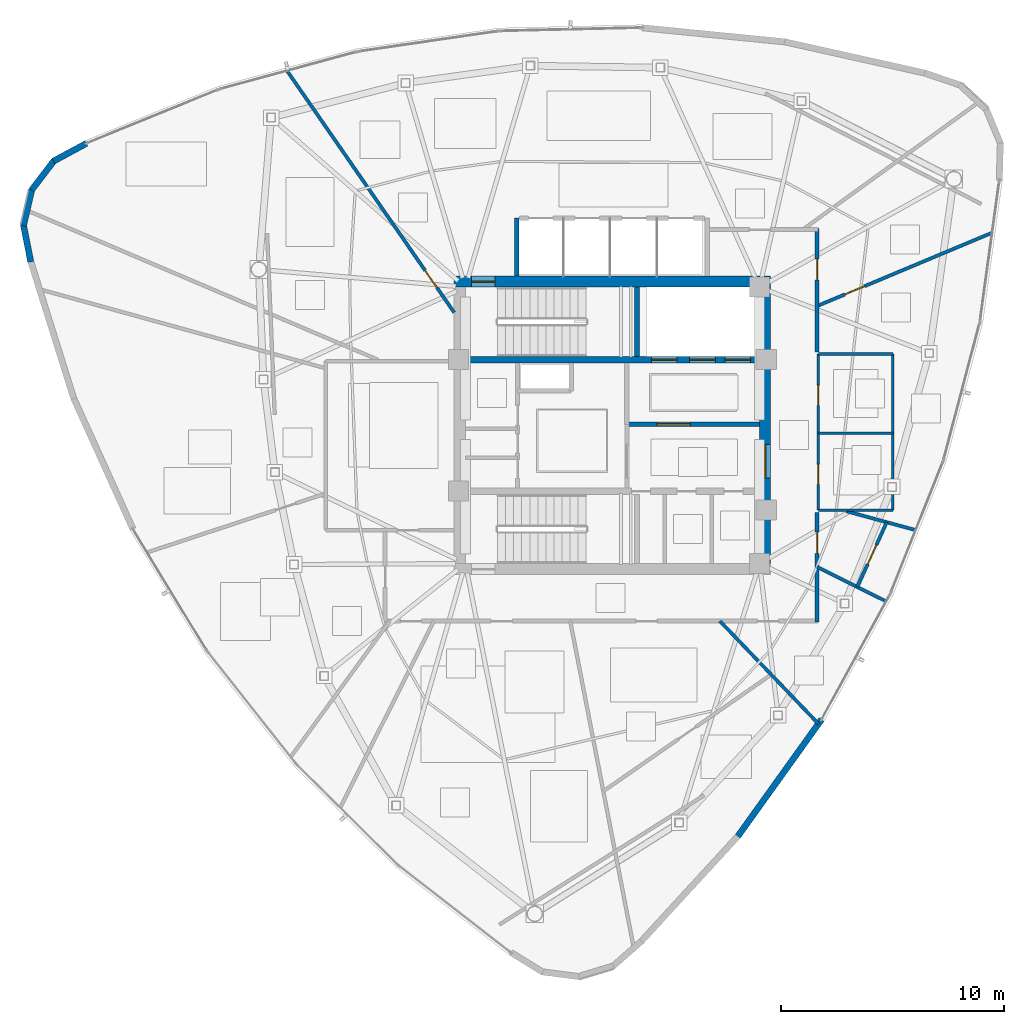
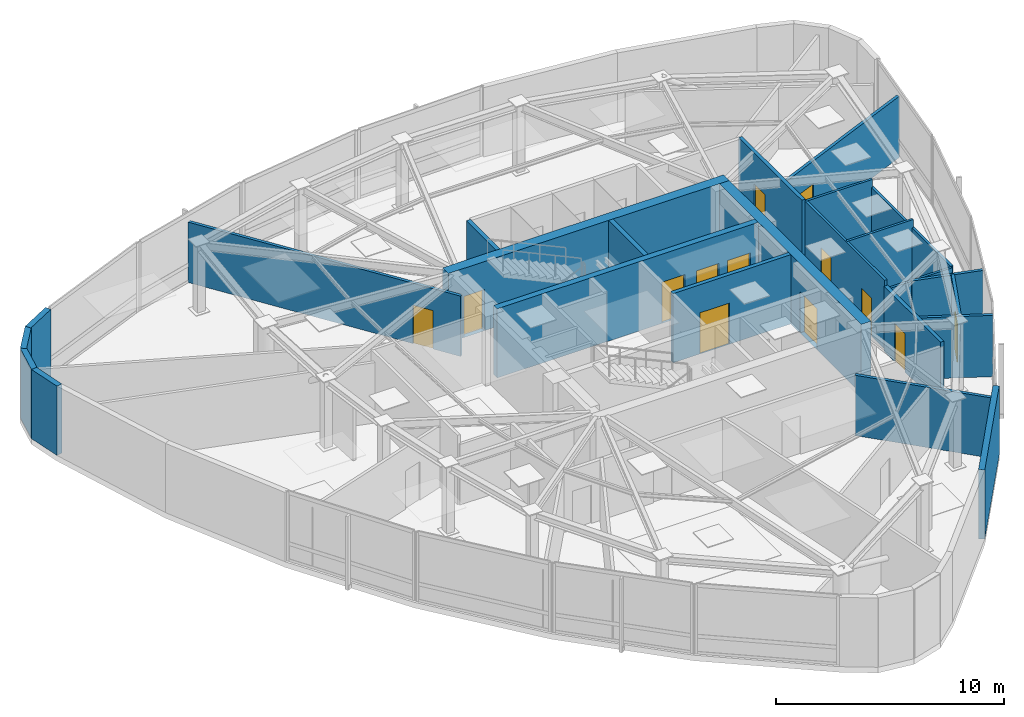
# One storey, part 9 of 12: 24 walls, 13 doors, 13 openings.
"""IFC4 building model written with IfcOpenShell, lengths in metres."""

from ifc_helpers import new_model, si_unit, direction, frame, frame_2d, origin, place, context, subcontext, project, spatial, rectangle, extrude, material, layer, layer_set, type_object, element, fill, save


model = new_model("IFC4")

# Units and contexts
model_context = context("Model", 3, precision=1e-05, world=origin(), true_north=direction((0.0, 1.0)))
body_context = subcontext(model_context, "Body", "Model", "MODEL_VIEW")
ifc_project = project(units=[si_unit("LENGTHUNIT", "METRE"), si_unit("AREAUNIT", "SQUARE_METRE"), si_unit("VOLUMEUNIT", "CUBIC_METRE"), si_unit("PLANEANGLEUNIT", "RADIAN"), si_unit("MASSUNIT", "GRAM", prefix="KILO")], contexts=[model_context])

# Site, building, storey
site_placement = place(None, origin())
site = spatial("IfcSite", under=ifc_project, at=site_placement, CompositionType="ELEMENT")
building_placement = place(site_placement, origin())
building = spatial("IfcBuilding", under=site, at=building_placement, Name="Tavelor Broadcast Tower", CompositionType="ELEMENT")
storey_placement = place(building_placement, frame((0.0, 0.0, 317.5)))
storey = spatial("IfcBuildingStorey", under=building, at=storey_placement, Name="L76", CompositionType="ELEMENT", Elevation=317.5)

# Wall, opening, door
ifc_material_1 = material(Name="Concrete C50/60", Category="concrete")
ifc_layer_1 = layer(ifc_material_1, 0.5)
ifc_layer_set_1 = layer_set([ifc_layer_1], Name="Concrete C50/60")
wall_type_1 = type_object("IfcWallType", Name="Core Shear Wall 500 mm", PredefinedType="SHEAR", material=ifc_layer_set_1)
wall_1_placement = place(storey_placement, frame((42.89990234375, 51.449951171875, 0.0), z_axis=(0.0, 0.0, 1.0), x_axis=(1.0, 0.0, 0.0)))
wall_1 = element("IfcWall", 1, at=wall_1_placement, inside=storey, type_object=wall_type_1, Name="L76 Central Core Shear Wall N", PredefinedType="SHEAR", context=body_context, shape_type="SweptSolid", body=[
    extrude(rectangle(XDim=14.2001953125, YDim=0.5, at=frame_2d((7.10009765625, 0.0))), origin(), (0.0, 0.0, 1.0), 3.699951171875),
])
opening_1_placement = place(wall_1_placement, frame((0.780029296875, 0.0, 0.0)))
opening_1 = element("IfcOpeningElement", 2, at=opening_1_placement, cuts=wall_1, Name="Opening DR11", PredefinedType="OPENING", context=body_context, shape_type="SweptSolid", body=[
    extrude(rectangle(XDim=1.050048828125, YDim=2.199951171875, at=frame_2d((0.52490234375, 1.10009765625))), frame((0.0, 0.260009765625, 0.0), z_axis=(0.0, -1.0, 0.0), x_axis=(1.0, 0.0, 0.0)), (0.0, 0.0, 1.0), 0.52001953125),
])
ifc_material_2 = material(Name="Steel S355", Category="steel")
door_type_1 = type_object("IfcDoorType", Name="Stair Core Fire Escape Door 1050x2200", OperationType="NOTDEFINED", PredefinedType="DOOR", material=ifc_material_2)
door_1_placement = place(opening_1_placement, origin())
door_1 = element("IfcDoor", 3, at=door_1_placement, inside=storey, type_object=door_type_1, Name="L76 Stair ST1 Protected Exit Door", OperationType="SINGLE_SWING_LEFT", OverallHeight=2.199951171875, OverallWidth=1.050048828125, PredefinedType="DOOR", context=body_context, shape_type="SweptSolid", body=[
    extrude(rectangle(XDim=1.050048828125, YDim=2.199951171875, at=frame_2d((0.52490234375, 1.10009765625))), frame((0.0, 0.02490234375, 0.0), z_axis=(0.0, -1.0, 0.0), x_axis=(1.0, 0.0, 0.0)), (0.0, 0.0, 1.0), 0.050048828125),
])
fill(opening_1, door_1)

wall_2_placement = place(storey_placement, frame((56.85009765625, 38.800048828125, 0.0), z_axis=(0.0, 0.0, 1.0), x_axis=(0.0, 1.0, 0.0)))
wall_2 = element("IfcWall", 4, at=wall_2_placement, inside=storey, type_object=wall_type_1, Name="L76 Central Core Shear Wall E", PredefinedType="SHEAR", context=body_context, shape_type="SweptSolid", body=[
    extrude(rectangle(XDim=12.39990234375, YDim=0.5, at=frame_2d((6.199951171875, 0.0))), origin(), (0.0, 0.0, 1.0), 3.699951171875),
])
opening_2_placement = place(wall_2_placement, frame((3.85009765625, 0.0, 0.0)))
opening_2 = element("IfcOpeningElement", 5, at=opening_2_placement, cuts=wall_2, Name="Opening DR14", PredefinedType="OPENING", context=body_context, shape_type="SweptSolid", body=[
    extrude(rectangle(XDim=1.5, YDim=2.199951171875, at=frame_2d((0.75, 1.10009765625))), frame((0.0, 0.260009765625, 0.0), z_axis=(0.0, -1.0, 0.0), x_axis=(1.0, 0.0, 0.0)), (0.0, 0.0, 1.0), 0.52001953125),
])
door_type_2 = type_object("IfcDoorType", Name="Firefighting Lobby Double Fire Door 1500x2200", OperationType="NOTDEFINED", PredefinedType="DOOR", material=ifc_material_2)
door_2_placement = place(opening_2_placement, origin())
door_2 = element("IfcDoor", 6, at=door_2_placement, inside=storey, type_object=door_type_2, Name="L76 Central Core Lobby Fire Door", OperationType="SINGLE_SWING_LEFT", OverallHeight=2.199951171875, OverallWidth=1.5, PredefinedType="DOOR", context=body_context, shape_type="SweptSolid", body=[
    extrude(rectangle(XDim=1.5, YDim=2.199951171875, at=frame_2d((0.75, 1.10009765625))), frame((0.0, 0.02490234375, 0.0), z_axis=(0.0, -1.0, 0.0), x_axis=(1.0, 0.0, 0.0)), (0.0, 0.0, 1.0), 0.050048828125),
])
fill(opening_2, door_2)

# Wall, openings, doors
ifc_layer_2 = layer(ifc_material_1, 0.300048828125)
ifc_layer_set_2 = layer_set([ifc_layer_2], Name="Concrete C50/60")
wall_type_2 = type_object("IfcWallType", Name="Core Spine Shear Wall 300 mm C50", PredefinedType="SHEAR", material=ifc_layer_set_2)
wall_3_placement = place(storey_placement, frame((43.39990234375, 47.949951171875, 0.0), z_axis=(0.0, 0.0, 1.0), x_axis=(1.0, 0.0, 0.0)))
wall_3 = element("IfcWall", 7, at=wall_3_placement, inside=storey, type_object=wall_type_2, Name="L76 Central Core Shear Wall SP1", PredefinedType="SHEAR", context=body_context, shape_type="SweptSolid", body=[
    extrude(rectangle(XDim=13.2001953125, YDim=0.300048828125, at=frame_2d((6.60009765625, 0.0))), origin(), (0.0, 0.0, 1.0), 3.699951171875),
])
opening_3_placement = place(wall_3_placement, frame((8.344970703125, 0.0, 0.0)))
opening_3 = element("IfcOpeningElement", 8, at=opening_3_placement, cuts=wall_3, Name="Opening LD02", PredefinedType="OPENING", context=body_context, shape_type="SweptSolid", body=[
    extrude(rectangle(XDim=1.14990234375, YDim=2.199951171875, at=frame_2d((0.574951171875, 1.10009765625))), frame((0.0, 0.16015625, 0.0), z_axis=(0.0, -1.0, 0.0), x_axis=(1.0, 0.0, 0.0)), (0.0, 0.0, 1.0), 0.320068359375),
])
opening_4_placement = place(wall_3_placement, frame((10.06494140625, 0.0, 0.0)))
opening_4 = element("IfcOpeningElement", 9, at=opening_4_placement, cuts=wall_3, Name="Opening LD02", PredefinedType="OPENING", context=body_context, shape_type="SweptSolid", body=[
    extrude(rectangle(XDim=1.14990234375, YDim=2.199951171875, at=frame_2d((0.574951171875, 1.10009765625))), frame((0.0, 0.16015625, 0.0), z_axis=(0.0, -1.0, 0.0), x_axis=(1.0, 0.0, 0.0)), (0.0, 0.0, 1.0), 0.320068359375),
])
opening_5_placement = place(wall_3_placement, frame((11.64501953125, 0.0, 0.0)))
opening_5 = element("IfcOpeningElement", 10, at=opening_5_placement, cuts=wall_3, Name="Opening LD03", PredefinedType="OPENING", context=body_context, shape_type="SweptSolid", body=[
    extrude(rectangle(XDim=1.14990234375, YDim=2.199951171875, at=frame_2d((0.574951171875, 1.10009765625))), frame((0.0, 0.16015625, 0.0), z_axis=(0.0, -1.0, 0.0), x_axis=(1.0, 0.0, 0.0)), (0.0, 0.0, 1.0), 0.320068359375),
])
ifc_material_3 = material(Name="Reinforced Brushed Stainless Steel", Category="concrete")
door_type_3 = type_object("IfcDoorType", Name="Broadcast Goods Lift Sliding Landing Door 1250x2200", OperationType="NOTDEFINED", PredefinedType="DOOR", material=ifc_material_3)
door_3_placement = place(opening_5_placement, origin())
door_3 = element("IfcDoor", 11, at=door_3_placement, inside=storey, type_object=door_type_3, Name="L76 Lift SVL1 Sliding Landing Door", OperationType="SLIDING_TO_LEFT", OverallHeight=2.199951171875, OverallWidth=1.14990234375, PredefinedType="DOOR", context=body_context, shape_type="SweptSolid", body=[
    extrude(rectangle(XDim=1.14990234375, YDim=2.199951171875, at=frame_2d((0.574951171875, 1.10009765625))), frame((0.0, 0.02490234375, 0.0), z_axis=(0.0, -1.0, 0.0), x_axis=(1.0, 0.0, 0.0)), (0.0, 0.0, 1.0), 0.050048828125),
])
fill(opening_5, door_3)
ifc_material_4 = material(Name="Fire-Rated Stainless Steel", Category="steel")
door_type_4 = type_object("IfcDoorType", Name="Firefighting Lift Sliding Landing Door 1200x2200", OperationType="NOTDEFINED", PredefinedType="DOOR", material=ifc_material_4)
door_4_placement = place(opening_3_placement, origin())
door_4 = element("IfcDoor", 12, at=door_4_placement, inside=storey, type_object=door_type_4, Name="L76 Lift FFL1 Sliding Landing Door", OperationType="SLIDING_TO_LEFT", OverallHeight=2.199951171875, OverallWidth=1.14990234375, PredefinedType="DOOR", context=body_context, shape_type="SweptSolid", body=[
    extrude(rectangle(XDim=1.14990234375, YDim=2.199951171875, at=frame_2d((0.574951171875, 1.10009765625))), frame((0.0, 0.02490234375, 0.0), z_axis=(0.0, -1.0, 0.0), x_axis=(1.0, 0.0, 0.0)), (0.0, 0.0, 1.0), 0.050048828125),
])
fill(opening_3, door_4)
door_5_placement = place(opening_4_placement, origin())
door_5 = element("IfcDoor", 13, at=door_5_placement, inside=storey, type_object=door_type_4, Name="L76 Lift FFL2 Sliding Landing Door", OperationType="SLIDING_TO_LEFT", OverallHeight=2.199951171875, OverallWidth=1.14990234375, PredefinedType="DOOR", context=body_context, shape_type="SweptSolid", body=[
    extrude(rectangle(XDim=1.14990234375, YDim=2.199951171875, at=frame_2d((0.574951171875, 1.10009765625))), frame((0.0, 0.02490234375, 0.0), z_axis=(0.0, -1.0, 0.0), x_axis=(1.0, 0.0, 0.0)), (0.0, 0.0, 1.0), 0.050048828125),
])
fill(opening_4, door_5)

# Wall, opening, door
ifc_material_5 = material(Name="Calcium Silicate Fire Board 180 mm", Category="gypsum")
ifc_layer_3 = layer(ifc_material_5, 0.179931640625)
ifc_layer_set_3 = layer_set([ifc_layer_3], Name="Calcium Silicate Fire Board 180 mm")
wall_type_3 = type_object("IfcWallType", Name="Fire-Rated Corridor Partition Wall 180 mm", PredefinedType="PARTITIONING", material=ifc_layer_set_3)
wall_4_placement = place(storey_placement, frame((59.179931640625, 53.830078125, 0.0), z_axis=(0.0, 0.0, 1.0), x_axis=(0.0, -1.0, 0.0)))
wall_4 = element("IfcWall", 14, at=wall_4_placement, inside=storey, type_object=wall_type_3, Name="L76 Corridor Compartment Wall 02", PredefinedType="PARTITIONING", context=body_context, shape_type="SweptSolid", body=[
    extrude(rectangle(XDim=5.530029296875, YDim=0.179931640625, at=frame_2d((2.76513671875, 0.0))), origin(), (0.0, 0.0, 1.0), 3.699951171875),
])
opening_6_placement = place(wall_4_placement, frame((1.35498046875, 0.0, 0.0)))
opening_6 = element("IfcOpeningElement", 15, at=opening_6_placement, cuts=wall_4, Name="Opening DR18", PredefinedType="OPENING", context=body_context, shape_type="SweptSolid", body=[
    extrude(rectangle(XDim=0.949951171875, YDim=2.050048828125, at=frame_2d((0.47509765625, 1.02490234375))), frame((0.0, 0.10009765625, 0.0), z_axis=(0.0, -1.0, 0.0), x_axis=(1.0, 0.0, 0.0)), (0.0, 0.0, 1.0), 0.199951171875),
])
ifc_material_6 = material(Name="Timber Solid Core Hardwood", Category="wood")
door_type_5 = type_object("IfcDoorType", Name="Corridor Rated Compartment Door 950x2050", OperationType="NOTDEFINED", PredefinedType="DOOR", material=ifc_material_6)
door_6_placement = place(opening_6_placement, origin())
door_6 = element("IfcDoor", 16, at=door_6_placement, inside=storey, type_object=door_type_5, Name="L76 Standards Huddle Room Door R0", OperationType="SINGLE_SWING_LEFT", OverallHeight=2.050048828125, OverallWidth=0.949951171875, PredefinedType="DOOR", context=body_context, shape_type="SweptSolid", body=[
    extrude(rectangle(XDim=0.949951171875, YDim=2.050048828125, at=frame_2d((0.47509765625, 1.02490234375))), frame((0.0, 0.02490234375, 0.0), z_axis=(0.0, -1.0, 0.0), x_axis=(1.0, 0.0, 0.0)), (0.0, 0.0, 1.0), 0.050048828125),
])
fill(opening_6, door_6)

wall_5_placement = place(storey_placement, frame((59.179931640625, 41.10009765625, 0.0), z_axis=(0.0, 0.0, 1.0), x_axis=(0.0, -1.0, 0.0)))
wall_5 = element("IfcWall", 17, at=wall_5_placement, inside=storey, type_object=wall_type_3, Name="L76 Corridor Compartment Wall 03", PredefinedType="PARTITIONING", context=body_context, shape_type="SweptSolid", body=[
    extrude(rectangle(XDim=4.93017578125, YDim=0.179931640625, at=frame_2d((2.465087890625, 0.0))), origin(), (0.0, 0.0, 1.0), 3.47509765625),
])
opening_7_placement = place(wall_5_placement, frame((0.890380859375, 0.0, 0.0)))
opening_7 = element("IfcOpeningElement", 18, at=opening_7_placement, cuts=wall_5, Name="Opening DR18", PredefinedType="OPENING", context=body_context, shape_type="SweptSolid", body=[
    extrude(rectangle(XDim=0.949951171875, YDim=2.050048828125, at=frame_2d((0.47509765625, 1.02490234375))), frame((0.0, 0.10009765625, 0.0), z_axis=(0.0, -1.0, 0.0), x_axis=(1.0, 0.0, 0.0)), (0.0, 0.0, 1.0), 0.199951171875),
])
door_7_placement = place(opening_7_placement, origin())
door_7 = element("IfcDoor", 19, at=door_7_placement, inside=storey, type_object=door_type_5, Name="L76 Editorial Coffee Pantry Door R10", OperationType="SINGLE_SWING_RIGHT", OverallHeight=2.050048828125, OverallWidth=0.949951171875, PredefinedType="DOOR", context=body_context, shape_type="SweptSolid", body=[
    extrude(rectangle(XDim=0.949951171875, YDim=2.050048828125, at=frame_2d((0.47509765625, 1.02490234375))), frame((0.0, 0.02490234375, 0.0), z_axis=(0.0, -1.0, 0.0), x_axis=(1.0, 0.0, 0.0)), (0.0, 0.0, 1.0), 0.050048828125),
])
fill(opening_7, door_7)

# Walls
ifc_material_7 = material(Name="Precast Concrete C40/50", Category="concrete")
ifc_layer_4 = layer(ifc_material_7, 0.280029296875)
ifc_layer_set_4 = layer_set([ifc_layer_4], Name="Precast Concrete C40/50")
wall_type_4 = type_object("IfcWallType", Name="Insulated Precast Terracotta Facade Wall 280 mm", PredefinedType="STANDARD", material=ifc_layer_set_4)
wall_6_placement = place(storey_placement, frame((26.39697265625, 57.653076171875, 0.0), z_axis=(0.0, 0.0, 1.0), x_axis=(-0.880058914108, -0.474864515098, 0.0)))
element("IfcWall", 20, at=wall_6_placement, inside=storey, type_object=wall_type_4, Name="L76 Rounded Corner Structural Cladding Pier 01", PredefinedType="STANDARD", context=body_context, shape_type="SweptSolid", body=[
    extrude(rectangle(XDim=1.675048828125, YDim=0.280029296875, at=frame_2d((0.83740234375, 0.0))), origin(), (0.0, 0.0, 1.0), 3.699951171875),
])
for number, where, z_axis, x_axis, name in (
    (21, (24.9453125, 56.876708984375, 0.0), (0.0, 0.0, 1.0), (-0.606741659279, -0.794899087241, 0.0), "L76 Rounded Corner Structural Cladding Pier 02"),
    (22, (23.948486328125, 55.5810546875, 0.0), (0.0, 0.0, 1.0), (-0.225749169655, -0.974185460988, 0.0), "L76 Rounded Corner Structural Cladding Pier 03"),
):
    element("IfcWall", number, at=place(storey_placement, frame(where, z_axis=z_axis, x_axis=x_axis)), inside=storey, type_object=wall_type_4, Name=name, PredefinedType="STANDARD", context=body_context, shape_type="SweptSolid", body=[
        extrude(rectangle(XDim=1.663330078125, YDim=0.280029296875, at=frame_2d((0.83154296875, 0.0))), origin(), (0.0, 0.0, 1.0), 3.699951171875),
    ])
wall_7_placement = place(storey_placement, frame((23.573486328125, 53.989990234375, 0.0), z_axis=(0.0, 0.0, 1.0), x_axis=(0.195057800899, -0.980791748695, 0.0)))
element("IfcWall", 23, at=wall_7_placement, inside=storey, type_object=wall_type_4, Name="L76 Rounded Corner Structural Cladding Pier 04", PredefinedType="STANDARD", context=body_context, shape_type="SweptSolid", body=[
    extrude(rectangle(XDim=1.68603515625, YDim=0.280029296875, at=frame_2d((0.843017578125, 0.0))), origin(), (0.0, 0.0, 1.0), 3.699951171875),
])
wall_8_placement = place(storey_placement, frame((55.625732421875, 26.561279296875, 0.0), z_axis=(0.0, 0.0, 1.0), x_axis=(0.582498097612, 0.812832065237, 0.0)))
element("IfcWall", 24, at=wall_8_placement, inside=storey, type_object=wall_type_4, Name="L76 Rounded Corner Structural Cladding Pier 16", PredefinedType="STANDARD", context=body_context, shape_type="SweptSolid", body=[
    extrude(rectangle(XDim=6.44873046875, YDim=0.280029296875, at=frame_2d((3.224365234375, 0.0))), origin(), (0.0, 0.0, 1.0), 3.699951171875),
])
ifc_material_8 = material(Name="Gypsum Acoustic Plasterboard 150 mm", Category="gypsum")
ifc_layer_5 = layer(ifc_material_8, 0.14990234375)
ifc_layer_set_5 = layer_set([ifc_layer_5], Name="Gypsum Acoustic Plasterboard 150 mm")
wall_type_5 = type_object("IfcWallType", Name="Interior Acoustic Partition Wall 150 mm", PredefinedType="PARTITIONING", material=ifc_layer_set_5)
wall_9_placement = place(storey_placement, frame((54.821044921875, 36.219970703125, 0.0), z_axis=(0.0, 0.0, 1.0), x_axis=(0.692187062024, -0.721718138311, 0.0)))
element("IfcWall", 25, at=wall_9_placement, inside=storey, type_object=wall_type_5, Name="L76 Radial Compartment Wall 02", PredefinedType="PARTITIONING", context=body_context, shape_type="SweptSolid", body=[
    extrude(rectangle(XDim=6.39892578125, YDim=0.14990234375, at=frame_2d((3.199462890625, 0.0))), origin(), (0.0, 0.0, 1.0), 3.22509765625),
])
wall_10_placement = place(storey_placement, frame((59.179931640625, 38.64794921875, 0.0), z_axis=(0.0, 0.0, 1.0), x_axis=(0.895506797988, -0.445047834235, 0.0)))
element("IfcWall", 26, at=wall_10_placement, inside=storey, type_object=wall_type_5, Name="L76 Radial Compartment Wall 03", PredefinedType="PARTITIONING", context=body_context, shape_type="SweptSolid", body=[
    extrude(rectangle(XDim=3.47412109375, YDim=0.14990234375, at=frame_2d((1.737060546875, 0.0))), origin(), (0.0, 0.0, 1.0), 3.27490234375),
])
wall_11_placement = place(storey_placement, frame((60.496337890625, 41.14990234375, 0.0), z_axis=(0.0, 0.0, 1.0), x_axis=(0.964687080818, -0.263398625856, 0.0)))
element("IfcWall", 27, at=wall_11_placement, inside=storey, type_object=wall_type_5, Name="L76 Radial Compartment Wall 04", PredefinedType="PARTITIONING", context=body_context, shape_type="SweptSolid", body=[
    extrude(rectangle(XDim=3.23193359375, YDim=0.14990234375, at=frame_2d((1.615966796875, 0.0))), origin(), (0.0, 0.0, 1.0), 3.27490234375),
])

# Wall, opening, door
wall_12_placement = place(storey_placement, frame((59.179931640625, 50.353515625, 0.0), z_axis=(0.0, 0.0, 1.0), x_axis=(0.922337571996, 0.386385045368, 0.0)))
wall_12 = element("IfcWall", 28, at=wall_12_placement, inside=storey, type_object=wall_type_5, Name="L76 Radial Compartment Wall 05", PredefinedType="PARTITIONING", context=body_context, shape_type="SweptSolid", body=[
    extrude(rectangle(XDim=8.52880859375, YDim=0.14990234375, at=frame_2d((4.264404296875, 0.0))), origin(), (0.0, 0.0, 1.0), 3.27490234375),
])
opening_8_placement = place(wall_12_placement, frame((1.35009765625, 0.0, 0.0)))
opening_8 = element("IfcOpeningElement", 29, at=opening_8_placement, cuts=wall_12, Name="Opening DR18", PredefinedType="OPENING", context=body_context, shape_type="SweptSolid", body=[
    extrude(rectangle(XDim=0.949951171875, YDim=2.050048828125, at=frame_2d((0.47509765625, 1.02490234375))), frame((0.0, 0.0849609375, 0.0), z_axis=(0.0, -1.0, 0.0), x_axis=(1.0, 0.0, 0.0)), (0.0, 0.0, 1.0), 0.169921875),
])
door_8_placement = place(opening_8_placement, origin())
door_8 = element("IfcDoor", 30, at=door_8_placement, inside=storey, type_object=door_type_5, Name="L76 Suite Connecting Door 1", OperationType="SINGLE_SWING_LEFT", OverallHeight=2.050048828125, OverallWidth=0.949951171875, PredefinedType="DOOR", context=body_context, shape_type="SweptSolid", body=[
    extrude(rectangle(XDim=0.949951171875, YDim=2.050048828125, at=frame_2d((0.47509765625, 1.02490234375))), frame((0.0, 0.02490234375, 0.0), z_axis=(0.0, -1.0, 0.0), x_axis=(1.0, 0.0, 0.0)), (0.0, 0.0, 1.0), 0.050048828125),
])
fill(opening_8, door_8)

wall_13_placement = place(storey_placement, frame((42.89990234375, 50.0625, 0.0), z_axis=(0.0, 0.0, 1.0), x_axis=(-0.568675000497, 0.822562303907, 0.0)))
wall_13 = element("IfcWall", 31, at=wall_13_placement, inside=storey, type_object=wall_type_5, Name="L76 Radial Compartment Wall 07", PredefinedType="PARTITIONING", context=body_context, shape_type="SweptSolid", body=[
    extrude(rectangle(XDim=13.197021484375, YDim=0.14990234375, at=frame_2d((6.5986328125, 0.0))), origin(), (0.0, 0.0, 1.0), 3.22509765625),
])
opening_9_placement = place(wall_13_placement, frame((1.35009765625, 0.0, 0.0)))
opening_9 = element("IfcOpeningElement", 32, at=opening_9_placement, cuts=wall_13, Name="Opening DR18", PredefinedType="OPENING", context=body_context, shape_type="SweptSolid", body=[
    extrude(rectangle(XDim=0.949951171875, YDim=2.050048828125, at=frame_2d((0.47509765625, 1.02490234375))), frame((0.0, 0.0849609375, 0.0), z_axis=(0.0, -1.0, 0.0), x_axis=(1.0, 0.0, 0.0)), (0.0, 0.0, 1.0), 0.169921875),
])
door_9_placement = place(opening_9_placement, origin())
door_9 = element("IfcDoor", 33, at=door_9_placement, inside=storey, type_object=door_type_5, Name="L76 Suite Connecting Door 8", OperationType="SINGLE_SWING_RIGHT", OverallHeight=2.050048828125, OverallWidth=0.949951171875, PredefinedType="DOOR", context=body_context, shape_type="SweptSolid", body=[
    extrude(rectangle(XDim=0.949951171875, YDim=2.050048828125, at=frame_2d((0.47509765625, 1.02490234375))), frame((0.0, 0.02490234375, 0.0), z_axis=(0.0, -1.0, 0.0), x_axis=(1.0, 0.0, 0.0)), (0.0, 0.0, 1.0), 0.050048828125),
])
fill(opening_9, door_9)

wall_14_placement = place(storey_placement, frame((60.984375, 37.751220703125, 0.0), z_axis=(0.0, 0.0, 1.0), x_axis=(0.413791414658, 0.910371718121, 0.0)))
wall_14 = element("IfcWall", 34, at=wall_14_placement, inside=storey, type_object=wall_type_5, Name="L76 Suite Chord Partition Wall 02", PredefinedType="PARTITIONING", context=body_context, shape_type="SweptSolid", body=[
    extrude(rectangle(XDim=3.190673828125, YDim=0.14990234375, at=frame_2d((1.59521484375, 0.0))), origin(), (0.0, 0.0, 1.0), 3.27490234375),
])
opening_10_placement = place(wall_14_placement, frame((1.12060546875, 0.0, 0.0)))
opening_10 = element("IfcOpeningElement", 35, at=opening_10_placement, cuts=wall_14, Name="Opening DR23", PredefinedType="OPENING", context=body_context, shape_type="SweptSolid", body=[
    extrude(rectangle(XDim=0.949951171875, YDim=2.050048828125, at=frame_2d((0.47509765625, 1.02490234375))), frame((0.0, 0.0849609375, 0.0), z_axis=(0.0, -1.0, 0.0), x_axis=(1.0, 0.0, 0.0)), (0.0, 0.0, 1.0), 0.169921875),
])
door_type_6 = type_object("IfcDoorType", Name="Editorial Room Acoustic Door 950x2050", OperationType="NOTDEFINED", PredefinedType="DOOR", material=ifc_material_6)
door_10_placement = place(opening_10_placement, origin())
door_10 = element("IfcDoor", 36, at=door_10_placement, inside=storey, type_object=door_type_6, Name="L76 Outer Suite Partition Door 2", OperationType="SINGLE_SWING_LEFT", OverallHeight=2.050048828125, OverallWidth=0.949951171875, PredefinedType="DOOR", context=body_context, shape_type="SweptSolid", body=[
    extrude(rectangle(XDim=0.949951171875, YDim=2.050048828125, at=frame_2d((0.47509765625, 1.02490234375))), frame((0.0, 0.02490234375, 0.0), z_axis=(0.0, -1.0, 0.0), x_axis=(1.0, 0.0, 0.0)), (0.0, 0.0, 1.0), 0.050048828125),
])
fill(opening_10, door_10)

# Wall
ifc_material_9 = material(Name="Concrete Blockwork 200 mm", Category="masonry")
ifc_layer_6 = layer(ifc_material_9, 0.199951171875)
ifc_layer_set_6 = layer_set([ifc_layer_6], Name="Concrete Blockwork 200 mm")
wall_type_6 = type_object("IfcWallType", Name="Lift and Riser Shaft Enclosure Wall 200 mm", PredefinedType="PARTITIONING", material=ifc_layer_set_6)
wall_15_placement = place(storey_placement, frame((45.699951171875, 51.699951171875, 0.0), z_axis=(0.0, 0.0, 1.0), x_axis=(0.0, 1.0, 0.0)))
element("IfcWall", 37, at=wall_15_placement, inside=storey, type_object=wall_type_6, Name="L76 High-Rise Lift Shaft West Wall", PredefinedType="PARTITIONING", context=body_context, shape_type="SweptSolid", body=[
    extrude(rectangle(XDim=2.60009765625, YDim=0.199951171875, at=frame_2d((1.300048828125, 0.0))), origin(), (0.0, 0.0, 1.0), 3.699951171875),
])

# Wall, opening, door
wall_16_placement = place(storey_placement, frame((50.64990234375, 45.050048828125, 0.0), z_axis=(0.0, 0.0, 1.0), x_axis=(1.0, 0.0, 0.0)))
wall_16 = element("IfcWall", 38, at=wall_16_placement, inside=storey, type_object=wall_type_6, Name="L76 Firefighting Lobby South Wall", PredefinedType="PARTITIONING", context=body_context, shape_type="SweptSolid", body=[
    extrude(rectangle(XDim=5.9501953125, YDim=0.199951171875, at=frame_2d((2.97509765625, 0.0))), origin(), (0.0, 0.0, 1.0), 3.699951171875),
])
opening_11_placement = place(wall_16_placement, frame((1.35009765625, 0.0, 0.0)))
opening_11 = element("IfcOpeningElement", 39, at=opening_11_placement, cuts=wall_16, Name="Opening DR14", PredefinedType="OPENING", context=body_context, shape_type="SweptSolid", body=[
    extrude(rectangle(XDim=1.5, YDim=2.199951171875, at=frame_2d((0.75, 1.10009765625))), frame((0.0, 0.10986328125, 0.0), z_axis=(0.0, -1.0, 0.0), x_axis=(1.0, 0.0, 0.0)), (0.0, 0.0, 1.0), 0.219970703125),
])
door_11_placement = place(opening_11_placement, origin())
door_11 = element("IfcDoor", 40, at=door_11_placement, inside=storey, type_object=door_type_2, Name="L76 Firefighting Lobby Compartment Door", OperationType="SINGLE_SWING_RIGHT", OverallHeight=2.199951171875, OverallWidth=1.5, PredefinedType="DOOR", context=body_context, shape_type="SweptSolid", body=[
    extrude(rectangle(XDim=1.5, YDim=2.199951171875, at=frame_2d((0.75, 1.10009765625))), frame((0.0, 0.02490234375, 0.0), z_axis=(0.0, -1.0, 0.0), x_axis=(1.0, 0.0, 0.0)), (0.0, 0.0, 1.0), 0.050048828125),
])
fill(opening_11, door_11)

# Wall, openings, doors
ifc_material_10 = material(Name="Moisture-Resistant Plasterboard 120 mm", Category="gypsum")
ifc_layer_7 = layer(ifc_material_10, 0.1201171875)
ifc_layer_set_7 = layer_set([ifc_layer_7], Name="Moisture-Resistant Plasterboard 120 mm")
wall_type_7 = type_object("IfcWallType", Name="Moisture-Resistant Wet-Room Partition 120 mm", PredefinedType="PARTITIONING", material=ifc_layer_set_7)
wall_17_placement = place(storey_placement, frame((59.239990234375, 41.199951171875, 0.0), z_axis=(0.0, 0.0, 1.0), x_axis=(0.0, 1.0, 0.0)))
wall_17 = element("IfcWall", 41, at=wall_17_placement, inside=storey, type_object=wall_type_7, Name="L76 Floor Washrooms West Wall", PredefinedType="PARTITIONING", context=body_context, shape_type="SweptSolid", body=[
    extrude(rectangle(XDim=7.0, YDim=0.1201171875, at=frame_2d((3.5, 0.0))), origin(), (0.0, 0.0, 1.0), 3.699951171875),
])
opening_12_placement = place(wall_17_placement, frame((1.14990234375, 0.0, 0.0)))
opening_12 = element("IfcOpeningElement", 42, at=opening_12_placement, cuts=wall_17, Name="Opening DR32", PredefinedType="OPENING", context=body_context, shape_type="SweptSolid", body=[
    extrude(rectangle(XDim=0.89990234375, YDim=2.050048828125, at=frame_2d((0.449951171875, 1.02490234375))), frame((0.0, 0.070068359375, 0.0), z_axis=(0.0, -1.0, 0.0), x_axis=(1.0, 0.0, 0.0)), (0.0, 0.0, 1.0), 0.14013671875),
])
opening_13_placement = place(wall_17_placement, frame((4.699951171875, 0.0, 0.0)))
opening_13 = element("IfcOpeningElement", 43, at=opening_13_placement, cuts=wall_17, Name="Opening DR32", PredefinedType="OPENING", context=body_context, shape_type="SweptSolid", body=[
    extrude(rectangle(XDim=0.89990234375, YDim=2.050048828125, at=frame_2d((0.449951171875, 1.02490234375))), frame((0.0, 0.070068359375, 0.0), z_axis=(0.0, -1.0, 0.0), x_axis=(1.0, 0.0, 0.0)), (0.0, 0.0, 1.0), 0.14013671875),
])
door_type_7 = type_object("IfcDoorType", Name="Accessible Washroom Door 900x2050", OperationType="NOTDEFINED", PredefinedType="DOOR", material=ifc_material_6)
door_12_placement = place(opening_12_placement, origin())
door_12 = element("IfcDoor", 44, at=door_12_placement, inside=storey, type_object=door_type_7, Name="L76 Accessible WC Door", OperationType="SINGLE_SWING_LEFT", OverallHeight=2.050048828125, OverallWidth=0.89990234375, PredefinedType="DOOR", context=body_context, shape_type="SweptSolid", body=[
    extrude(rectangle(XDim=0.89990234375, YDim=2.050048828125, at=frame_2d((0.449951171875, 1.02490234375))), frame((0.0, 0.02490234375, 0.0), z_axis=(0.0, -1.0, 0.0), x_axis=(1.0, 0.0, 0.0)), (0.0, 0.0, 1.0), 0.050048828125),
])
fill(opening_12, door_12)
door_13_placement = place(opening_13_placement, origin())
door_13 = element("IfcDoor", 45, at=door_13_placement, inside=storey, type_object=door_type_7, Name="L76 Staff Washroom WC Door", OperationType="SINGLE_SWING_RIGHT", OverallHeight=2.050048828125, OverallWidth=0.89990234375, PredefinedType="DOOR", context=body_context, shape_type="SweptSolid", body=[
    extrude(rectangle(XDim=0.89990234375, YDim=2.050048828125, at=frame_2d((0.449951171875, 1.02490234375))), frame((0.0, 0.02490234375, 0.0), z_axis=(0.0, -1.0, 0.0), x_axis=(1.0, 0.0, 0.0)), (0.0, 0.0, 1.0), 0.050048828125),
])
fill(opening_13, door_13)

# Walls
wall_18_placement = place(storey_placement, frame((59.239990234375, 41.199951171875, 0.0), z_axis=(0.0, 0.0, 1.0), x_axis=(1.0, 0.0, 0.0)))
element("IfcWall", 46, at=wall_18_placement, inside=storey, type_object=wall_type_7, Name="L76 Floor Washrooms South Wall", PredefinedType="PARTITIONING", context=body_context, shape_type="SweptSolid", body=[
    extrude(rectangle(XDim=3.340087890625, YDim=0.1201171875, at=frame_2d((1.669921875, 0.0))), origin(), (0.0, 0.0, 1.0), 3.22509765625),
])
for number, where, z_axis, x_axis, name in (
    (47, (59.239990234375, 44.64990234375, 0.0), (0.0, 0.0, 1.0), (1.0, 0.0, 0.0), "L76 Floor Washrooms Divider Wall"),
    (48, (59.239990234375, 48.199951171875, 0.0), (0.0, 0.0, 1.0), (1.0, 0.0, 0.0), "L76 Floor Washrooms North Wall"),
):
    element("IfcWall", number, at=place(storey_placement, frame(where, z_axis=z_axis, x_axis=x_axis)), inside=storey, type_object=wall_type_7, Name=name, PredefinedType="PARTITIONING", context=body_context, shape_type="SweptSolid", body=[
        extrude(rectangle(XDim=3.340087890625, YDim=0.1201171875, at=frame_2d((1.669921875, 0.0))), origin(), (0.0, 0.0, 1.0), 3.699951171875),
    ])
wall_19_placement = place(storey_placement, frame((62.580078125, 41.199951171875, 0.0), z_axis=(0.0, 0.0, 1.0), x_axis=(0.0, 1.0, 0.0)))
element("IfcWall", 49, at=wall_19_placement, inside=storey, type_object=wall_type_7, Name="L76 Floor Washrooms East Wall", PredefinedType="PARTITIONING", context=body_context, shape_type="SweptSolid", body=[
    extrude(rectangle(XDim=7.0, YDim=0.1201171875, at=frame_2d((3.5, 0.0))), origin(), (0.0, 0.0, 1.0), 3.27490234375),
])
ifc_material_11 = material(Name="Concrete C40/50", Category="concrete")
ifc_layer_8 = layer(ifc_material_11, 0.219970703125)
ifc_layer_set_8 = layer_set([ifc_layer_8], Name="Concrete C40/50")
wall_type_8 = type_object("IfcWallType", Name="Structural Stairwell Shear Wall 220 mm", PredefinedType="SHEAR", material=ifc_layer_set_8)
wall_20_placement = place(storey_placement, frame((51.110107421875, 48.10009765625, 0.0), z_axis=(0.0, 0.0, 1.0), x_axis=(0.0, 1.0, 0.0)))
element("IfcWall", 50, at=wall_20_placement, inside=storey, type_object=wall_type_8, Name="L76 Stair ST1 Structural Shaft Wall", PredefinedType="SHEAR", context=body_context, shape_type="SweptSolid", body=[
    extrude(rectangle(XDim=3.099853515625, YDim=0.219970703125, at=frame_2d((1.5498046875, 0.0))), origin(), (0.0, 0.0, 1.0), 3.699951171875),
])

save(model, "model.ifc")
